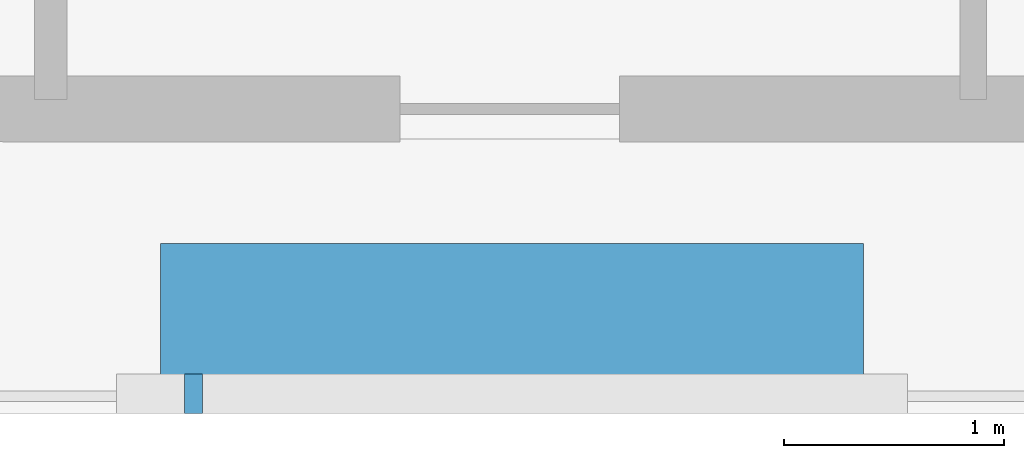
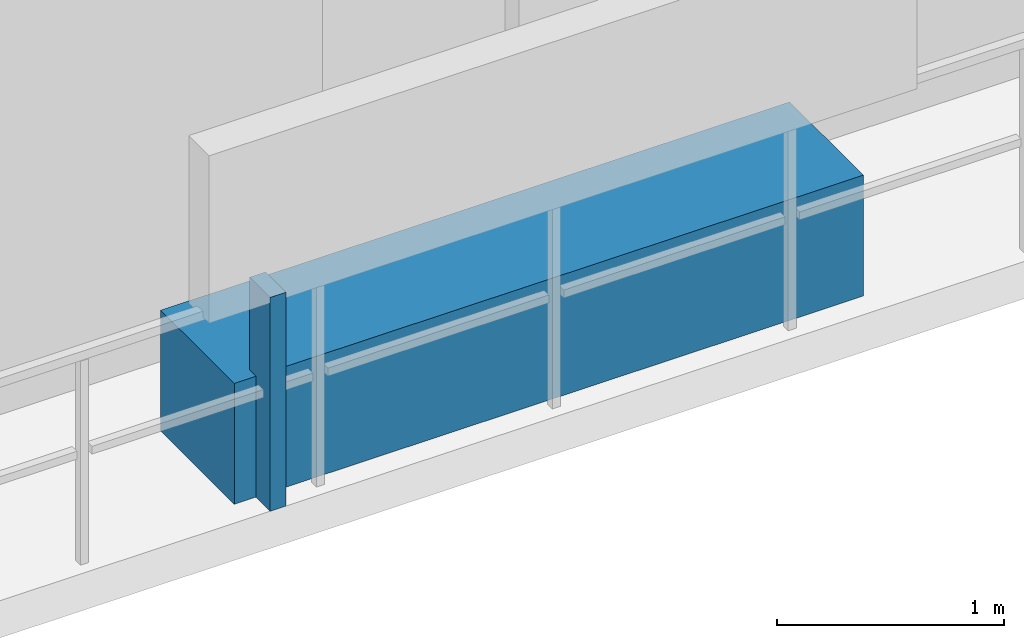
# One storey, part 29 of 33: 2 discrete accessories.
"""IFC4 building model written with IfcOpenShell, lengths in metres."""

from ifc_helpers import new_model, si_unit, direction, frame, origin, origin_2d, place, context, subcontext, project, spatial, rectangle, extrude, material, type_object, element, save


model = new_model("IFC4")

# Units and contexts
model_context = context("Model", 3, precision=1e-05, world=origin(), true_north=direction((0.0, 1.0)))
body_context = subcontext(model_context, "Body", "Model", "MODEL_VIEW")
ifc_project = project(units=[si_unit("LENGTHUNIT", "METRE"), si_unit("AREAUNIT", "SQUARE_METRE"), si_unit("VOLUMEUNIT", "CUBIC_METRE"), si_unit("PLANEANGLEUNIT", "RADIAN"), si_unit("MASSUNIT", "GRAM", prefix="KILO")], contexts=[model_context])

# Site, building, storey
site_placement = place(None, origin())
site = spatial("IfcSite", under=ifc_project, at=site_placement, CompositionType="ELEMENT")
building_placement = place(site_placement, origin())
building = spatial("IfcBuilding", under=site, at=building_placement, Name="Thornwick Lancets Civic Towers", CompositionType="ELEMENT")
storey_placement = place(building_placement, frame((0.0, 0.0, 203.699951171875)))
storey = spatial("IfcBuildingStorey", under=building, at=storey_placement, Name="L54", CompositionType="ELEMENT", Elevation=203.699951171875)

# Discrete accessories
ifc_material_1 = material(Name="Planted terracotta greenery planter", Category="masonry")
discrete_accessory_type_1 = type_object("IfcDiscreteAccessoryType", Name="ACC_PLANTER_BOX", PredefinedType="USERDEFINED", material=ifc_material_1)
discrete_accessory_1_placement = place(storey_placement, frame((88.5, 2.300048828125, 0.0), z_axis=(0.0, 0.0, 1.0), x_axis=(1.0, 0.0, 0.0)))
element("IfcDiscreteAccessory", 1, at=discrete_accessory_1_placement, inside=storey, type_object=discrete_accessory_type_1, Name="L54 Tower B Balcony Greenery Planter S", ObjectType="PLANTER", PredefinedType="USERDEFINED", context=body_context, shape_type="SweptSolid", body=[
    extrude(rectangle(XDim=3.199951171875, YDim=0.64990234375, at=origin_2d()), origin(), (0.0, 0.0, 1.0), 0.64990234375),
])
ifc_material_2 = material(Name="Stainless steel S355", Category="steel")
discrete_accessory_type_2 = type_object("IfcDiscreteAccessoryType", Name="ACC_SCREEN_BRACKET", PredefinedType="BRACKET", material=ifc_material_2)
discrete_accessory_2_placement = place(storey_placement, frame((87.050048828125, 1.93994140625, 0.0), z_axis=(0.0, 0.0, 1.0), x_axis=(1.0, 0.0, 0.0)))
element("IfcDiscreteAccessory", 2, at=discrete_accessory_2_placement, inside=storey, type_object=discrete_accessory_type_2, Name="L54 Tower B Balcony Screen Stanchion Bracket S-1", PredefinedType="BRACKET", context=body_context, shape_type="SweptSolid", body=[
    extrude(rectangle(XDim=0.080078125, YDim=0.179931640625, at=origin_2d()), origin(), (0.0, 0.0, 1.0), 1.14990234375),
])

save(model, "model.ifc")
